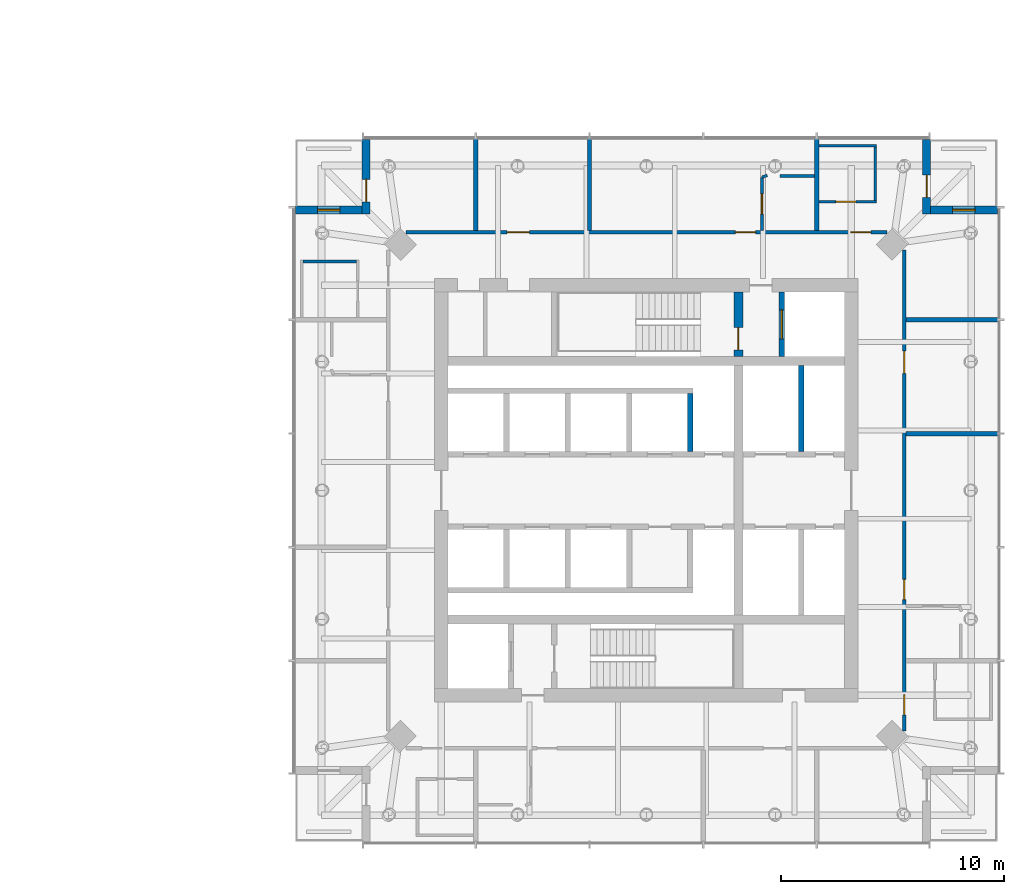
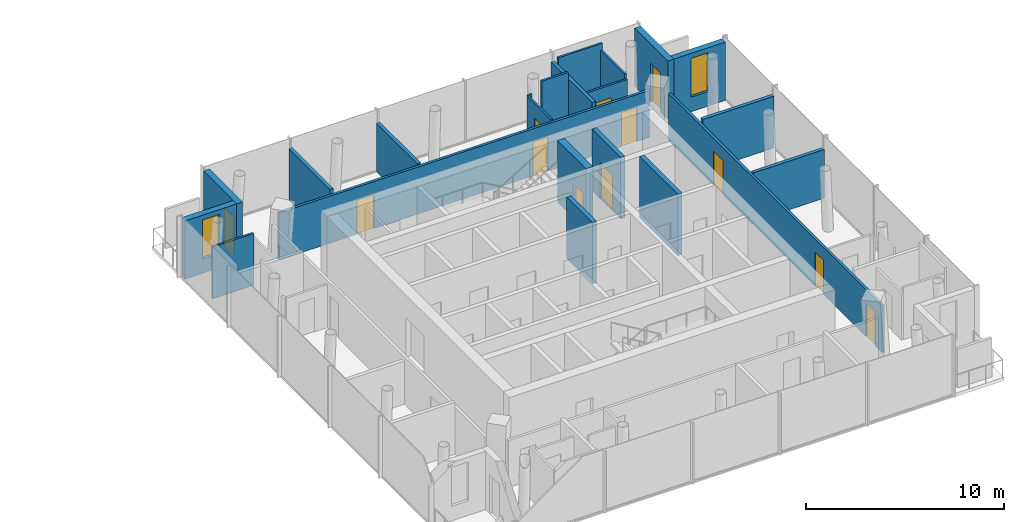
# One storey, part 15 of 18: 22 walls, 12 doors, 2 windows, 14 openings.
"""IFC4 building model written with IfcOpenShell, lengths in metres."""

from ifc_helpers import new_model, si_unit, direction, frame, frame_2d, origin, place, context, subcontext, project, spatial, rectangle, extrude, material, layer, layer_set, type_object, element, fill, save


model = new_model("IFC4")

# Units and contexts
model_context = context("Model", 3, precision=1e-05, world=origin(), true_north=direction((0.0, 1.0)))
body_context = subcontext(model_context, "Body", "Model", "MODEL_VIEW")
ifc_project = project(units=[si_unit("LENGTHUNIT", "METRE"), si_unit("AREAUNIT", "SQUARE_METRE"), si_unit("VOLUMEUNIT", "CUBIC_METRE"), si_unit("PLANEANGLEUNIT", "RADIAN"), si_unit("MASSUNIT", "GRAM", prefix="KILO")], contexts=[model_context])

# Site, building, storey
site_placement = place(None, origin())
site = spatial("IfcSite", under=ifc_project, at=site_placement, CompositionType="ELEMENT")
building_placement = place(site_placement, origin())
building = spatial("IfcBuilding", under=site, at=building_placement, Name="Ostroluk Exchange", CompositionType="ELEMENT")
storey_placement = place(building_placement, frame((0.0, 0.0, 123.60009765625)))
storey = spatial("IfcBuildingStorey", under=building, at=storey_placement, Name="L31", CompositionType="ELEMENT", Elevation=123.60009765625)

# Wall, opening, door
ifc_material_1 = material(Name="Concrete C50/60", Category="concrete")
ifc_layer_1 = layer(ifc_material_1, 0.39990234375)
ifc_layer_set_1 = layer_set([ifc_layer_1], Name="Core cross wall 400 C50/60")
wall_type_1 = type_object("IfcWallType", Name="Core cross wall 400 C50/60", PredefinedType="SHEAR", material=ifc_layer_set_1)
wall_1_placement = place(storey_placement, frame((121.1298828125, 52.0, 0.0), z_axis=(0.0, 0.0, 1.0), x_axis=(0.0, 1.0, 0.0)))
wall_1 = element("IfcWall", 1, at=wall_1_placement, inside=storey, type_object=wall_type_1, Name="T2 core wall YE3", PredefinedType="SHEAR", context=body_context, shape_type="SweptSolid", body=[
    extrude(rectangle(XDim=2.89990234375, YDim=0.39990234375, at=frame_2d((1.449951171875, 0.0))), origin(), (0.0, 0.0, 1.0), 3.7998046875),
])
opening_1_placement = place(wall_1_placement, frame((0.300048828125, 0.0, 0.0)))
opening_1 = element("IfcOpeningElement", 2, at=opening_1_placement, cuts=wall_1, Name="Opening FD60", PredefinedType="OPENING", context=body_context, shape_type="SweptSolid", body=[
    extrude(rectangle(XDim=1.0, YDim=2.10009765625, at=frame_2d((0.5, 1.050048828125))), frame((0.0, 0.2099609375, 0.0), z_axis=(0.0, -1.0, 0.0), x_axis=(1.0, 0.0, 0.0)), (0.0, 0.0, 1.0), 0.419921875),
])
ifc_material_2 = material(Name="Steel", Category="steel")
door_type_1 = type_object("IfcDoorType", Name="Fire door EI 60 1000 x 2100", OperationType="SINGLE_SWING_LEFT", PredefinedType="DOOR", material=ifc_material_2)
door_1_placement = place(opening_1_placement, origin())
door_1 = element("IfcDoor", 3, at=door_1_placement, inside=storey, type_object=door_type_1, Name="Stair T2-S2 door", OperationType="SINGLE_SWING_LEFT", OverallHeight=2.10009765625, OverallWidth=1.0, PredefinedType="DOOR", context=body_context, shape_type="SweptSolid", body=[
    extrude(rectangle(XDim=1.0, YDim=2.10009765625, at=frame_2d((0.5, 1.050048828125))), frame((0.0, 0.02490234375, 0.0), z_axis=(0.0, -1.0, 0.0), x_axis=(1.0, 0.0, 0.0)), (0.0, 0.0, 1.0), 0.050048828125),
])
fill(opening_1, door_1)

ifc_material_3 = material(Name="Concrete C40/50", Category="concrete")
ifc_layer_2 = layer(ifc_material_3, 0.25)
ifc_layer_set_2 = layer_set([ifc_layer_2], Name="Core shaft wall 250")
wall_type_2 = type_object("IfcWallType", Name="Core shaft wall 250", PredefinedType="SHEAR", material=ifc_layer_set_2)
wall_2_placement = place(storey_placement, frame((123.074951171875, 52.0, 0.0), z_axis=(0.0, 0.0, 1.0), x_axis=(0.0, 1.0, 0.0)))
wall_2 = element("IfcWall", 4, at=wall_2_placement, inside=storey, type_object=wall_type_2, Name="Firefighting lift shaft wall", PredefinedType="SHEAR", context=body_context, shape_type="SweptSolid", body=[
    extrude(rectangle(XDim=2.89990234375, YDim=0.25, at=frame_2d((1.449951171875, 0.0))), origin(), (0.0, 0.0, 1.0), 3.7998046875),
])
opening_2_placement = place(wall_2_placement, frame((0.800048828125, 0.0, 0.0)))
opening_2 = element("IfcOpeningElement", 5, at=opening_2_placement, cuts=wall_2, Name="Opening LD2", PredefinedType="OPENING", context=body_context, shape_type="SweptSolid", body=[
    extrude(rectangle(XDim=1.300048828125, YDim=2.199951171875, at=frame_2d((0.64990234375, 1.10009765625))), frame((0.0, 0.135009765625, 0.0), z_axis=(0.0, -1.0, 0.0), x_axis=(1.0, 0.0, 0.0)), (0.0, 0.0, 1.0), 0.27001953125),
])
ifc_material_4 = material(Name="Stainless steel", Category="steel")
door_type_2 = type_object("IfcDoorType", Name="Lift landing door E 60 1300 x 2200", OperationType="DOUBLE_DOOR_SLIDING", PredefinedType="DOOR", material=ifc_material_4)
door_2_placement = place(opening_2_placement, origin())
door_2 = element("IfcDoor", 6, at=door_2_placement, inside=storey, type_object=door_type_2, Name="Lift HF2 landing door", OperationType="DOUBLE_DOOR_SLIDING", OverallHeight=2.199951171875, OverallWidth=1.300048828125, PredefinedType="DOOR", context=body_context, shape_type="SweptSolid", body=[
    extrude(rectangle(XDim=1.300048828125, YDim=2.199951171875, at=frame_2d((0.64990234375, 1.10009765625))), frame((0.0, 0.02490234375, 0.0), z_axis=(0.0, -1.0, 0.0), x_axis=(1.0, 0.0, 0.0)), (0.0, 0.0, 1.0), 0.050048828125),
])
fill(opening_2, door_2)

# Walls
wall_3_placement = place(storey_placement, frame((118.97509765625, 47.75, 0.0), z_axis=(0.0, 0.0, 1.0), x_axis=(0.0, 1.0, 0.0)))
element("IfcWall", 7, at=wall_3_placement, inside=storey, type_object=wall_type_2, Name="Lift shaft wall", PredefinedType="SHEAR", context=body_context, shape_type="SweptSolid", body=[
    extrude(rectangle(XDim=2.60009765625, YDim=0.25, at=frame_2d((1.300048828125, 0.0))), origin(), (0.0, 0.0, 1.0), 3.7998046875),
])
wall_4_placement = place(storey_placement, frame((123.955078125, 47.75, 0.0), z_axis=(0.0, 0.0, 1.0), x_axis=(0.0, 1.0, 0.0)))
element("IfcWall", 8, at=wall_4_placement, inside=storey, type_object=wall_type_2, Name="Lift shaft wall", PredefinedType="SHEAR", context=body_context, shape_type="SweptSolid", body=[
    extrude(rectangle(XDim=3.85009765625, YDim=0.25, at=frame_2d((1.925048828125, 0.0))), origin(), (0.0, 0.0, 1.0), 3.7998046875),
])

# Wall, opening, door
ifc_material_5 = material(Name="Limestone", Category="masonry")
ifc_layer_3 = layer(ifc_material_5, 0.35009765625)
ifc_layer_set_3 = layer_set([ifc_layer_3], Name="Limestone facade wall 350")
wall_type_3 = type_object("IfcWallType", Name="Limestone facade wall 350", PredefinedType="SOLIDWALL", material=ifc_layer_set_3)
wall_5_placement = place(storey_placement, frame((129.574951171875, 61.75, 0.0), z_axis=(0.0, 0.0, 1.0), x_axis=(0.0, -1.0, 0.0)))
wall_5 = element("IfcWall", 9, at=wall_5_placement, inside=storey, type_object=wall_type_3, Name="Hotel tower NE corner wall L31 a", PredefinedType="SOLIDWALL", context=body_context, shape_type="SweptSolid", body=[
    extrude(rectangle(XDim=3.35009765625, YDim=0.35009765625, at=frame_2d((1.675048828125, 0.0))), origin(), (0.0, 0.0, 1.0), 3.599853515625),
])
opening_3_placement = place(wall_5_placement, frame((1.60009765625, 0.0, 0.0)))
opening_3 = element("IfcOpeningElement", 10, at=opening_3_placement, cuts=wall_5, Name="Opening D-B1", PredefinedType="OPENING", context=body_context, shape_type="SweptSolid", body=[
    extrude(rectangle(XDim=1.0, YDim=2.39990234375, at=frame_2d((0.5, 1.199951171875))), frame((0.0, 0.18505859375, 0.0), z_axis=(0.0, -1.0, 0.0), x_axis=(1.0, 0.0, 0.0)), (0.0, 0.0, 1.0), 0.3701171875),
])
ifc_material_6 = material(Name="Bronze framed glazed door", Category="aluminium")
door_type_3 = type_object("IfcDoorType", Name="Balcony door 1000 x 2400", OperationType="SINGLE_SWING_LEFT", PredefinedType="DOOR", material=ifc_material_6)
door_3_placement = place(opening_3_placement, origin())
door_3 = element("IfcDoor", 11, at=door_3_placement, inside=storey, type_object=door_type_3, Name="Hotel tower NE balcony door L31", OperationType="SINGLE_SWING_RIGHT", OverallHeight=2.39990234375, OverallWidth=1.0, PredefinedType="DOOR", context=body_context, shape_type="SweptSolid", body=[
    extrude(rectangle(XDim=1.0, YDim=2.39990234375, at=frame_2d((0.5, 1.199951171875))), frame((0.0, 0.02490234375, 0.0), z_axis=(0.0, -1.0, 0.0), x_axis=(1.0, 0.0, 0.0)), (0.0, 0.0, 1.0), 0.050048828125),
])
fill(opening_3, door_3)

# Wall, opening, window
wall_6_placement = place(storey_placement, frame((129.75, 58.574951171875, 0.0), z_axis=(0.0, 0.0, 1.0), x_axis=(1.0, 0.0, 0.0)))
wall_6 = element("IfcWall", 12, at=wall_6_placement, inside=storey, type_object=wall_type_3, Name="Hotel tower NE corner wall L31 b", PredefinedType="SOLIDWALL", context=body_context, shape_type="SweptSolid", body=[
    extrude(rectangle(XDim=3.0, YDim=0.35009765625, at=frame_2d((1.5, 0.0))), origin(), (0.0, 0.0, 1.0), 3.599853515625),
])
opening_4_placement = place(wall_6_placement, frame((1.0, 0.0, 0.89990234375)))
opening_4 = element("IfcOpeningElement", 13, at=opening_4_placement, cuts=wall_6, Name="Opening WN-L3", PredefinedType="OPENING", context=body_context, shape_type="SweptSolid", body=[
    extrude(rectangle(XDim=1.0, YDim=2.39990234375, at=frame_2d((0.5, 1.199951171875))), frame((0.0, 0.18505859375, 0.0), z_axis=(0.0, -1.0, 0.0), x_axis=(1.0, 0.0, 0.0)), (0.0, 0.0, 1.0), 0.3701171875),
])
ifc_material_7 = material(Name="Laminated clear glass", Category="glass")
window_type = type_object("IfcWindowType", Name="Hotel lancet window 1000 x 2400", PartitioningType="SINGLE_PANEL", PredefinedType="WINDOW", material=ifc_material_7)
window_1_placement = place(opening_4_placement, origin())
window_1 = element("IfcWindow", 14, at=window_1_placement, inside=storey, type_object=window_type, Name="Hotel tower NE lancet window L31", OverallHeight=2.39990234375, OverallWidth=1.0, PartitioningType="SINGLE_PANEL", PredefinedType="WINDOW", context=body_context, shape_type="SweptSolid", body=[
    extrude(rectangle(XDim=1.0, YDim=2.39990234375, at=frame_2d((0.5, 1.199951171875))), frame((0.0, 0.030029296875, 0.0), z_axis=(0.0, -1.0, 0.0), x_axis=(1.0, 0.0, 0.0)), (0.0, 0.0, 1.0), 0.06005859375),
])
fill(opening_4, window_1)

# Wall, opening, door
wall_7_placement = place(storey_placement, frame((104.425048828125, 61.75, 0.0), z_axis=(0.0, 0.0, 1.0), x_axis=(0.0, -1.0, 0.0)))
wall_7 = element("IfcWall", 15, at=wall_7_placement, inside=storey, type_object=wall_type_3, Name="Hotel tower NW corner wall L31 a", PredefinedType="SOLIDWALL", context=body_context, shape_type="SweptSolid", body=[
    extrude(rectangle(XDim=3.35009765625, YDim=0.35009765625, at=frame_2d((1.675048828125, 0.0))), origin(), (0.0, 0.0, 1.0), 3.599853515625),
])
opening_5_placement = place(wall_7_placement, frame((1.800048828125, 0.0, 0.0)))
opening_5 = element("IfcOpeningElement", 16, at=opening_5_placement, cuts=wall_7, Name="Opening D-B1", PredefinedType="OPENING", context=body_context, shape_type="SweptSolid", body=[
    extrude(rectangle(XDim=1.0, YDim=2.39990234375, at=frame_2d((0.5, 1.199951171875))), frame((0.0, 0.18505859375, 0.0), z_axis=(0.0, -1.0, 0.0), x_axis=(1.0, 0.0, 0.0)), (0.0, 0.0, 1.0), 0.3701171875),
])
door_4_placement = place(opening_5_placement, origin())
door_4 = element("IfcDoor", 17, at=door_4_placement, inside=storey, type_object=door_type_3, Name="Hotel tower NW balcony door L31", OperationType="SINGLE_SWING_RIGHT", OverallHeight=2.39990234375, OverallWidth=1.0, PredefinedType="DOOR", context=body_context, shape_type="SweptSolid", body=[
    extrude(rectangle(XDim=1.0, YDim=2.39990234375, at=frame_2d((0.5, 1.199951171875))), frame((0.0, 0.02490234375, 0.0), z_axis=(0.0, -1.0, 0.0), x_axis=(1.0, 0.0, 0.0)), (0.0, 0.0, 1.0), 0.050048828125),
])
fill(opening_5, door_4)

# Wall, opening, window
wall_8_placement = place(storey_placement, frame((104.25, 58.574951171875, 0.0), z_axis=(0.0, 0.0, 1.0), x_axis=(-1.0, 0.0, 0.0)))
wall_8 = element("IfcWall", 18, at=wall_8_placement, inside=storey, type_object=wall_type_3, Name="Hotel tower NW corner wall L31 b", PredefinedType="SOLIDWALL", context=body_context, shape_type="SweptSolid", body=[
    extrude(rectangle(XDim=3.0, YDim=0.35009765625, at=frame_2d((1.5, 0.0))), origin(), (0.0, 0.0, 1.0), 3.599853515625),
])
opening_6_placement = place(wall_8_placement, frame((1.0, 0.0, 0.89990234375)))
opening_6 = element("IfcOpeningElement", 19, at=opening_6_placement, cuts=wall_8, Name="Opening WN-L3", PredefinedType="OPENING", context=body_context, shape_type="SweptSolid", body=[
    extrude(rectangle(XDim=1.0, YDim=2.39990234375, at=frame_2d((0.5, 1.199951171875))), frame((0.0, 0.18505859375, 0.0), z_axis=(0.0, -1.0, 0.0), x_axis=(1.0, 0.0, 0.0)), (0.0, 0.0, 1.0), 0.3701171875),
])
window_2_placement = place(opening_6_placement, origin())
window_2 = element("IfcWindow", 20, at=window_2_placement, inside=storey, type_object=window_type, Name="Hotel tower NW lancet window L31", OverallHeight=2.39990234375, OverallWidth=1.0, PartitioningType="SINGLE_PANEL", PredefinedType="WINDOW", context=body_context, shape_type="SweptSolid", body=[
    extrude(rectangle(XDim=1.0, YDim=2.39990234375, at=frame_2d((0.5, 1.199951171875))), frame((0.0, 0.030029296875, 0.0), z_axis=(0.0, -1.0, 0.0), x_axis=(1.0, 0.0, 0.0)), (0.0, 0.0, 1.0), 0.06005859375),
])
fill(opening_6, window_2)

# Wall, opening, door
ifc_material_8 = material(Name="Gypsum plasterboard partition, moisture resistant", Category="gypsum")
ifc_layer_4 = layer(ifc_material_8, 0.1201171875)
ifc_layer_set_4 = layer_set([ifc_layer_4], Name="Plasterboard en-suite wall 120")
wall_type_4 = type_object("IfcWallType", Name="Plasterboard en-suite wall 120", PredefinedType="PARTITIONING", material=ifc_layer_set_4)
wall_9_placement = place(storey_placement, frame((124.75, 58.949951171875, 0.0), z_axis=(0.0, 0.0, 1.0), x_axis=(1.0, 0.0, 0.0)))
wall_9 = element("IfcWall", 21, at=wall_9_placement, inside=storey, type_object=wall_type_4, Name="En-suite wall", PredefinedType="PARTITIONING", context=body_context, shape_type="SweptSolid", body=[
    extrude(rectangle(XDim=2.580078125, YDim=0.1201171875, at=frame_2d((1.2900390625, 0.0))), origin(), (0.0, 0.0, 1.0), 2.89990234375),
])
opening_7_placement = place(wall_9_placement, frame((0.75, 0.0, 0.0)))
opening_7 = element("IfcOpeningElement", 22, at=opening_7_placement, cuts=wall_9, Name="Opening D-02", PredefinedType="OPENING", context=body_context, shape_type="SweptSolid", body=[
    extrude(rectangle(XDim=0.89990234375, YDim=2.10009765625, at=frame_2d((0.449951171875, 1.050048828125))), frame((0.0, 0.070068359375, 0.0), z_axis=(0.0, -1.0, 0.0), x_axis=(1.0, 0.0, 0.0)), (0.0, 0.0, 1.0), 0.14013671875),
])
ifc_material_9 = material(Name="Timber", Category="wood")
door_type_4 = type_object("IfcDoorType", Name="En-suite door 900 x 2100", OperationType="SINGLE_SWING_LEFT", PredefinedType="DOOR", material=ifc_material_9)
door_5_placement = place(opening_7_placement, origin())
door_5 = element("IfcDoor", 23, at=door_5_placement, inside=storey, type_object=door_type_4, Name="En-suite door 3103", OperationType="SINGLE_SWING_LEFT", OverallHeight=2.10009765625, OverallWidth=0.89990234375, PredefinedType="DOOR", context=body_context, shape_type="SweptSolid", body=[
    extrude(rectangle(XDim=0.89990234375, YDim=2.10009765625, at=frame_2d((0.449951171875, 1.050048828125))), frame((0.0, 0.02490234375, 0.0), z_axis=(0.0, -1.0, 0.0), x_axis=(1.0, 0.0, 0.0)), (0.0, 0.0, 1.0), 0.050048828125),
])
fill(opening_7, door_5)

# Walls
wall_10_placement = place(storey_placement, frame((124.75, 61.469970703125, 0.0), z_axis=(0.0, 0.0, 1.0), x_axis=(1.0, 0.0, 0.0)))
element("IfcWall", 24, at=wall_10_placement, inside=storey, type_object=wall_type_4, Name="En-suite wall", PredefinedType="PARTITIONING", context=body_context, shape_type="SweptSolid", body=[
    extrude(rectangle(XDim=2.580078125, YDim=0.1201171875, at=frame_2d((1.2900390625, 0.0))), origin(), (0.0, 0.0, 1.0), 3.599853515625),
])
wall_11_placement = place(storey_placement, frame((127.27001953125, 59.010009765625, 0.0), z_axis=(0.0, 0.0, 1.0), x_axis=(0.0, 1.0, 0.0)))
element("IfcWall", 25, at=wall_11_placement, inside=storey, type_object=wall_type_4, Name="En-suite wall", PredefinedType="PARTITIONING", context=body_context, shape_type="SweptSolid", body=[
    extrude(rectangle(XDim=2.39990234375, YDim=0.1201171875, at=frame_2d((1.199951171875, 0.0))), origin(), (0.0, 0.0, 1.0), 3.199951171875),
])
wall_12_placement = place(storey_placement, frame((124.550048828125, 60.110107421875, 0.0), z_axis=(0.0, 0.0, 1.0), x_axis=(-1.0, 0.0, 0.0)))
element("IfcWall", 26, at=wall_12_placement, inside=storey, type_object=wall_type_4, Name="En-suite wall", PredefinedType="PARTITIONING", context=body_context, shape_type="SweptSolid", body=[
    extrude(rectangle(XDim=1.5458984375, YDim=0.1201171875, at=frame_2d((0.77294921875, 0.0))), origin(), (0.0, 0.0, 1.0), 3.599853515625),
])

# Wall, opening, door
wall_13_placement = place(storey_placement, frame((122.18994140625, 57.64990234375, 0.0), z_axis=(0.0, 0.0, 1.0), x_axis=(0.0, 1.0, 0.0)))
wall_13 = element("IfcWall", 27, at=wall_13_placement, inside=storey, type_object=wall_type_4, Name="En-suite wall", PredefinedType="PARTITIONING", context=body_context, shape_type="SweptSolid", body=[
    extrude(rectangle(XDim=2.400146484375, YDim=0.1201171875, at=frame_2d((1.2001953125, 0.0))), origin(), (0.0, 0.0, 1.0), 3.0),
])
opening_8_placement = place(wall_13_placement, frame((0.75, 0.0, 0.0)))
opening_8 = element("IfcOpeningElement", 28, at=opening_8_placement, cuts=wall_13, Name="Opening D-02", PredefinedType="OPENING", context=body_context, shape_type="SweptSolid", body=[
    extrude(rectangle(XDim=0.89990234375, YDim=2.10009765625, at=frame_2d((0.449951171875, 1.050048828125))), frame((0.0, 0.070068359375, 0.0), z_axis=(0.0, -1.0, 0.0), x_axis=(1.0, 0.0, 0.0)), (0.0, 0.0, 1.0), 0.14013671875),
])
door_6_placement = place(opening_8_placement, origin())
door_6 = element("IfcDoor", 29, at=door_6_placement, inside=storey, type_object=door_type_4, Name="En-suite door 3104", OperationType="SINGLE_SWING_RIGHT", OverallHeight=2.10009765625, OverallWidth=0.89990234375, PredefinedType="DOOR", context=body_context, shape_type="SweptSolid", body=[
    extrude(rectangle(XDim=0.89990234375, YDim=2.10009765625, at=frame_2d((0.449951171875, 1.050048828125))), frame((0.0, 0.02490234375, 0.0), z_axis=(0.0, -1.0, 0.0), x_axis=(1.0, 0.0, 0.0)), (0.0, 0.0, 1.0), 0.050048828125),
])
fill(opening_8, door_6)

# Walls
wall_14_placement = place(storey_placement, frame((103.989990234375, 56.27001953125, 0.0), z_axis=(0.0, 0.0, 1.0), x_axis=(-1.0, 0.0, 0.0)))
element("IfcWall", 30, at=wall_14_placement, inside=storey, type_object=wall_type_4, Name="En-suite wall", PredefinedType="PARTITIONING", context=body_context, shape_type="SweptSolid", body=[
    extrude(rectangle(XDim=2.39990234375, YDim=0.1201171875, at=frame_2d((1.199951171875, 0.0))), origin(), (0.0, 0.0, 1.0), 3.199951171875),
])
wall_15_placement = place(storey_placement, frame((122.18994140625, 60.050048828125, 0.0), z_axis=(0.0, 0.0, 1.0), x_axis=(0.942506501315, 0.33418781393, 0.0)))
element("IfcWall", 31, at=wall_15_placement, inside=storey, type_object=wall_type_4, Name="En-suite wall", PredefinedType="PARTITIONING", context=body_context, shape_type="SweptSolid", body=[
    extrude(rectangle(XDim=0.251953125, YDim=0.1201171875, at=frame_2d((0.1259765625, 0.0))), origin(), (0.0, 0.0, 1.0), 3.0),
])

# Wall, openings, doors
ifc_material_10 = material(Name="Gypsum plasterboard partition", Category="gypsum")
ifc_layer_5 = layer(ifc_material_10, 0.14990234375)
ifc_layer_set_5 = layer_set([ifc_layer_5], Name="Plasterboard partition 150")
wall_type_5 = type_object("IfcWallType", Name="Plasterboard partition 150", PredefinedType="PARTITIONING", material=ifc_layer_set_5)
wall_16_placement = place(storey_placement, frame((128.574951171875, 35.20703125, 0.0), z_axis=(0.0, 0.0, 1.0), x_axis=(0.0, 1.0, 0.0)))
wall_16 = element("IfcWall", 32, at=wall_16_placement, inside=storey, type_object=wall_type_5, Name="Corridor wall", PredefinedType="PARTITIONING", context=body_context, shape_type="SweptSolid", body=[
    extrude(rectangle(XDim=21.5859375, YDim=0.14990234375, at=frame_2d((10.79296875, 0.0))), origin(), (0.0, 0.0, 1.0), 2.89990234375),
])
opening_9_placement = place(wall_16_placement, frame((0.7177734375, 0.0, 0.0)))
opening_9 = element("IfcOpeningElement", 33, at=opening_9_placement, cuts=wall_16, Name="Opening D-01", PredefinedType="OPENING", context=body_context, shape_type="SweptSolid", body=[
    extrude(rectangle(XDim=0.89990234375, YDim=2.10009765625, at=frame_2d((0.449951171875, 1.050048828125))), frame((0.0, 0.0849609375, 0.0), z_axis=(0.0, -1.0, 0.0), x_axis=(1.0, 0.0, 0.0)), (0.0, 0.0, 1.0), 0.169921875),
])
opening_10_placement = place(wall_16_placement, frame((5.892822265625, 0.0, 0.0)))
opening_10 = element("IfcOpeningElement", 34, at=opening_10_placement, cuts=wall_16, Name="Opening D-01", PredefinedType="OPENING", context=body_context, shape_type="SweptSolid", body=[
    extrude(rectangle(XDim=0.89990234375, YDim=2.10009765625, at=frame_2d((0.449951171875, 1.050048828125))), frame((0.0, 0.0849609375, 0.0), z_axis=(0.0, -1.0, 0.0), x_axis=(1.0, 0.0, 0.0)), (0.0, 0.0, 1.0), 0.169921875),
])
opening_11_placement = place(wall_16_placement, frame((16.04296875, 0.0, 0.0)))
opening_11 = element("IfcOpeningElement", 35, at=opening_11_placement, cuts=wall_16, Name="Opening D-03", PredefinedType="OPENING", context=body_context, shape_type="SweptSolid", body=[
    extrude(rectangle(XDim=1.0, YDim=2.10009765625, at=frame_2d((0.5, 1.050048828125))), frame((0.0, 0.0849609375, 0.0), z_axis=(0.0, -1.0, 0.0), x_axis=(1.0, 0.0, 0.0)), (0.0, 0.0, 1.0), 0.169921875),
])
ifc_material_11 = material(Name="Timber", Category="wood")
door_type_5 = type_object("IfcDoorType", Name="Hotel room door EI 30 Sa 900 x 2100", OperationType="SINGLE_SWING_LEFT", PredefinedType="DOOR", material=ifc_material_11)
door_7_placement = place(opening_9_placement, origin())
door_7 = element("IfcDoor", 36, at=door_7_placement, inside=storey, type_object=door_type_5, Name="Room door 3101", OperationType="SINGLE_SWING_LEFT", OverallHeight=2.10009765625, OverallWidth=0.89990234375, PredefinedType="DOOR", context=body_context, shape_type="SweptSolid", body=[
    extrude(rectangle(XDim=0.89990234375, YDim=2.10009765625, at=frame_2d((0.449951171875, 1.050048828125))), frame((0.0, 0.02490234375, 0.0), z_axis=(0.0, -1.0, 0.0), x_axis=(1.0, 0.0, 0.0)), (0.0, 0.0, 1.0), 0.050048828125),
])
fill(opening_9, door_7)
door_8_placement = place(opening_10_placement, origin())
door_8 = element("IfcDoor", 37, at=door_8_placement, inside=storey, type_object=door_type_5, Name="Room door 3102", OperationType="SINGLE_SWING_LEFT", OverallHeight=2.10009765625, OverallWidth=0.89990234375, PredefinedType="DOOR", context=body_context, shape_type="SweptSolid", body=[
    extrude(rectangle(XDim=0.89990234375, YDim=2.10009765625, at=frame_2d((0.449951171875, 1.050048828125))), frame((0.0, 0.02490234375, 0.0), z_axis=(0.0, -1.0, 0.0), x_axis=(1.0, 0.0, 0.0)), (0.0, 0.0, 1.0), 0.050048828125),
])
fill(opening_10, door_8)
ifc_material_12 = material(Name="Timber", Category="wood")
door_type_6 = type_object("IfcDoorType", Name="Internal door 1000 x 2100", OperationType="SINGLE_SWING_LEFT", PredefinedType="DOOR", material=ifc_material_12)
door_9_placement = place(opening_11_placement, origin())
door_9 = element("IfcDoor", 38, at=door_9_placement, inside=storey, type_object=door_type_6, Name="Guest lounge door", OperationType="SINGLE_SWING_RIGHT", OverallHeight=2.10009765625, OverallWidth=1.0, PredefinedType="DOOR", context=body_context, shape_type="SweptSolid", body=[
    extrude(rectangle(XDim=1.0, YDim=2.10009765625, at=frame_2d((0.5, 1.050048828125))), frame((0.0, 0.02490234375, 0.0), z_axis=(0.0, -1.0, 0.0), x_axis=(1.0, 0.0, 0.0)), (0.0, 0.0, 1.0), 0.050048828125),
])
fill(opening_11, door_9)

wall_17_placement = place(storey_placement, frame((127.79296875, 57.574951171875, 0.0), z_axis=(0.0, 0.0, 1.0), x_axis=(-1.0, 0.0, 0.0)))
wall_17 = element("IfcWall", 39, at=wall_17_placement, inside=storey, type_object=wall_type_5, Name="Corridor wall", PredefinedType="PARTITIONING", context=body_context, shape_type="SweptSolid", body=[
    extrude(rectangle(XDim=21.5859375, YDim=0.14990234375, at=frame_2d((10.79296875, 0.0))), origin(), (0.0, 0.0, 1.0), 2.89990234375),
])
opening_12_placement = place(wall_17_placement, frame((0.7177734375, 0.0, 0.0)))
opening_12 = element("IfcOpeningElement", 40, at=opening_12_placement, cuts=wall_17, Name="Opening D-01", PredefinedType="OPENING", context=body_context, shape_type="SweptSolid", body=[
    extrude(rectangle(XDim=0.89990234375, YDim=2.10009765625, at=frame_2d((0.449951171875, 1.050048828125))), frame((0.0, 0.0849609375, 0.0), z_axis=(0.0, -1.0, 0.0), x_axis=(1.0, 0.0, 0.0)), (0.0, 0.0, 1.0), 0.169921875),
])
opening_13_placement = place(wall_17_placement, frame((5.892822265625, 0.0, 0.0)))
opening_13 = element("IfcOpeningElement", 41, at=opening_13_placement, cuts=wall_17, Name="Opening D-01", PredefinedType="OPENING", context=body_context, shape_type="SweptSolid", body=[
    extrude(rectangle(XDim=0.89990234375, YDim=2.10009765625, at=frame_2d((0.449951171875, 1.050048828125))), frame((0.0, 0.0849609375, 0.0), z_axis=(0.0, -1.0, 0.0), x_axis=(1.0, 0.0, 0.0)), (0.0, 0.0, 1.0), 0.169921875),
])
opening_14_placement = place(wall_17_placement, frame((16.04296875, 0.0, 0.0)))
opening_14 = element("IfcOpeningElement", 42, at=opening_14_placement, cuts=wall_17, Name="Opening D-03", PredefinedType="OPENING", context=body_context, shape_type="SweptSolid", body=[
    extrude(rectangle(XDim=1.0, YDim=2.10009765625, at=frame_2d((0.5, 1.050048828125))), frame((0.0, 0.0849609375, 0.0), z_axis=(0.0, -1.0, 0.0), x_axis=(1.0, 0.0, 0.0)), (0.0, 0.0, 1.0), 0.169921875),
])
door_10_placement = place(opening_12_placement, origin())
door_10 = element("IfcDoor", 43, at=door_10_placement, inside=storey, type_object=door_type_5, Name="Room door 3103", OperationType="SINGLE_SWING_LEFT", OverallHeight=2.10009765625, OverallWidth=0.89990234375, PredefinedType="DOOR", context=body_context, shape_type="SweptSolid", body=[
    extrude(rectangle(XDim=0.89990234375, YDim=2.10009765625, at=frame_2d((0.449951171875, 1.050048828125))), frame((0.0, 0.02490234375, 0.0), z_axis=(0.0, -1.0, 0.0), x_axis=(1.0, 0.0, 0.0)), (0.0, 0.0, 1.0), 0.050048828125),
])
fill(opening_12, door_10)
door_11_placement = place(opening_13_placement, origin())
door_11 = element("IfcDoor", 44, at=door_11_placement, inside=storey, type_object=door_type_5, Name="Room door 3104", OperationType="SINGLE_SWING_LEFT", OverallHeight=2.10009765625, OverallWidth=0.89990234375, PredefinedType="DOOR", context=body_context, shape_type="SweptSolid", body=[
    extrude(rectangle(XDim=0.89990234375, YDim=2.10009765625, at=frame_2d((0.449951171875, 1.050048828125))), frame((0.0, 0.02490234375, 0.0), z_axis=(0.0, -1.0, 0.0), x_axis=(1.0, 0.0, 0.0)), (0.0, 0.0, 1.0), 0.050048828125),
])
fill(opening_13, door_11)
door_12_placement = place(opening_14_placement, origin())
door_12 = element("IfcDoor", 45, at=door_12_placement, inside=storey, type_object=door_type_6, Name="Guest lounge door", OperationType="SINGLE_SWING_RIGHT", OverallHeight=2.10009765625, OverallWidth=1.0, PredefinedType="DOOR", context=body_context, shape_type="SweptSolid", body=[
    extrude(rectangle(XDim=1.0, YDim=2.10009765625, at=frame_2d((0.5, 1.050048828125))), frame((0.0, 0.02490234375, 0.0), z_axis=(0.0, -1.0, 0.0), x_axis=(1.0, 0.0, 0.0)), (0.0, 0.0, 1.0), 0.050048828125),
])
fill(opening_14, door_12)

# Walls
ifc_material_13 = material(Name="Gypsum plasterboard partition", Category="gypsum")
ifc_layer_6 = layer(ifc_material_13, 0.199951171875)
ifc_layer_set_6 = layer_set([ifc_layer_6], Name="Plasterboard party wall 200")
wall_type_6 = type_object("IfcWallType", Name="Plasterboard party wall 200", PredefinedType="PARTITIONING", material=ifc_layer_set_6)
wall_18_placement = place(storey_placement, frame((128.64990234375, 48.550048828125, 0.0), z_axis=(0.0, 0.0, 1.0), x_axis=(1.0, 0.0, 0.0)))
element("IfcWall", 46, at=wall_18_placement, inside=storey, type_object=wall_type_6, Name="Party wall", PredefinedType="PARTITIONING", context=body_context, shape_type="SweptSolid", body=[
    extrude(rectangle(XDim=4.14013671875, YDim=0.199951171875, at=frame_2d((2.070068359375, 0.0))), origin(), (0.0, 0.0, 1.0), 3.0),
])
for number, where, z_axis, x_axis, name in (
    (47, (128.64990234375, 53.64990234375, 0.0), (0.0, 0.0, 1.0), (1.0, 0.0, 0.0), "Party wall"),
    (48, (124.64990234375, 57.64990234375, 0.0), (0.0, 0.0, 1.0), (0.0, 1.0, 0.0), "Party wall"),
):
    element("IfcWall", number, at=place(storey_placement, frame(where, z_axis=z_axis, x_axis=x_axis)), inside=storey, type_object=wall_type_6, Name=name, PredefinedType="PARTITIONING", context=body_context, shape_type="SweptSolid", body=[
        extrude(rectangle(XDim=4.14013671875, YDim=0.199951171875, at=frame_2d((2.070068359375, 0.0))), origin(), (0.0, 0.0, 1.0), 3.199951171875),
    ])
wall_19_placement = place(storey_placement, frame((114.449951171875, 57.64990234375, 0.0), z_axis=(0.0, 0.0, 1.0), x_axis=(0.0, 1.0, 0.0)))
element("IfcWall", 49, at=wall_19_placement, inside=storey, type_object=wall_type_6, Name="Party wall", PredefinedType="PARTITIONING", context=body_context, shape_type="SweptSolid", body=[
    extrude(rectangle(XDim=4.14013671875, YDim=0.199951171875, at=frame_2d((2.070068359375, 0.0))), origin(), (0.0, 0.0, 1.0), 3.0),
])
wall_20_placement = place(storey_placement, frame((109.35009765625, 57.64990234375, 0.0), z_axis=(0.0, 0.0, 1.0), x_axis=(0.0, 1.0, 0.0)))
element("IfcWall", 50, at=wall_20_placement, inside=storey, type_object=wall_type_6, Name="Party wall", PredefinedType="PARTITIONING", context=body_context, shape_type="SweptSolid", body=[
    extrude(rectangle(XDim=4.14013671875, YDim=0.199951171875, at=frame_2d((2.070068359375, 0.0))), origin(), (0.0, 0.0, 1.0), 3.199951171875),
])

save(model, "model.ifc")
